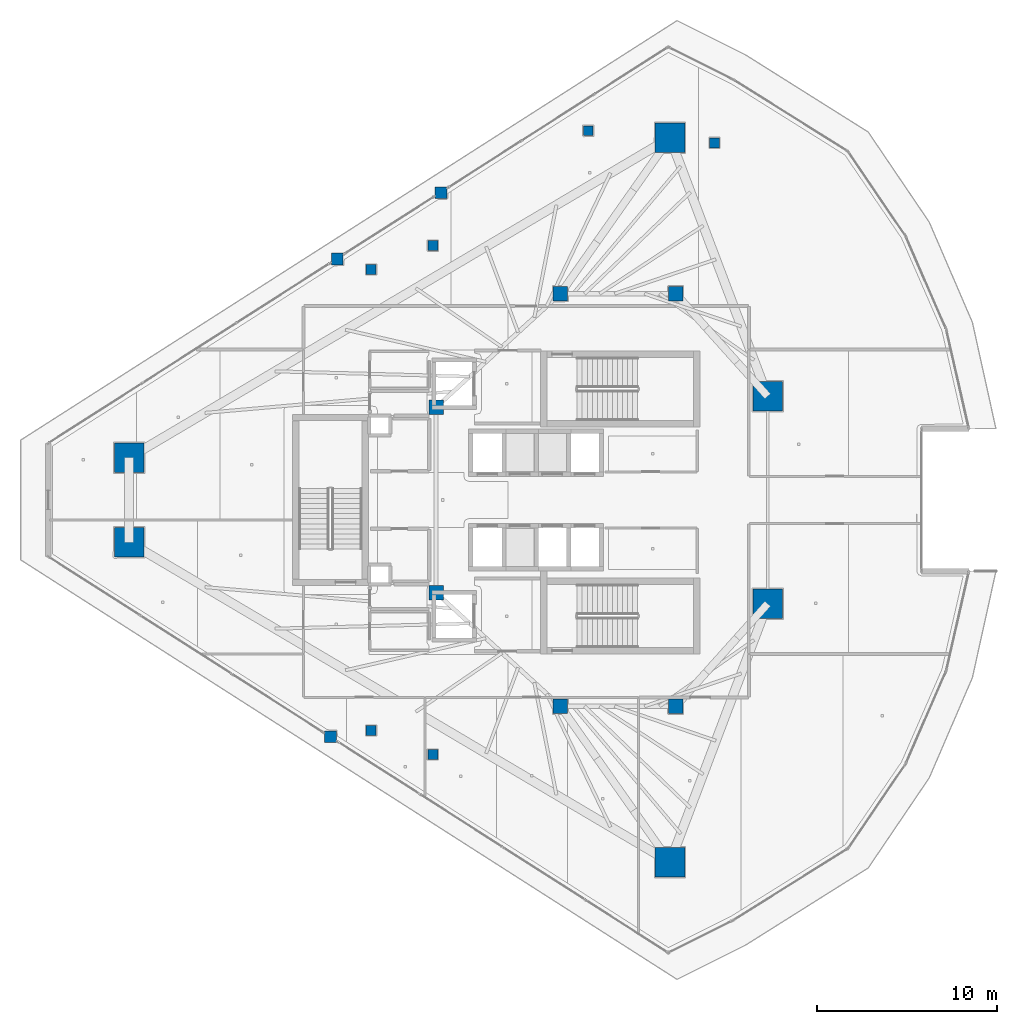
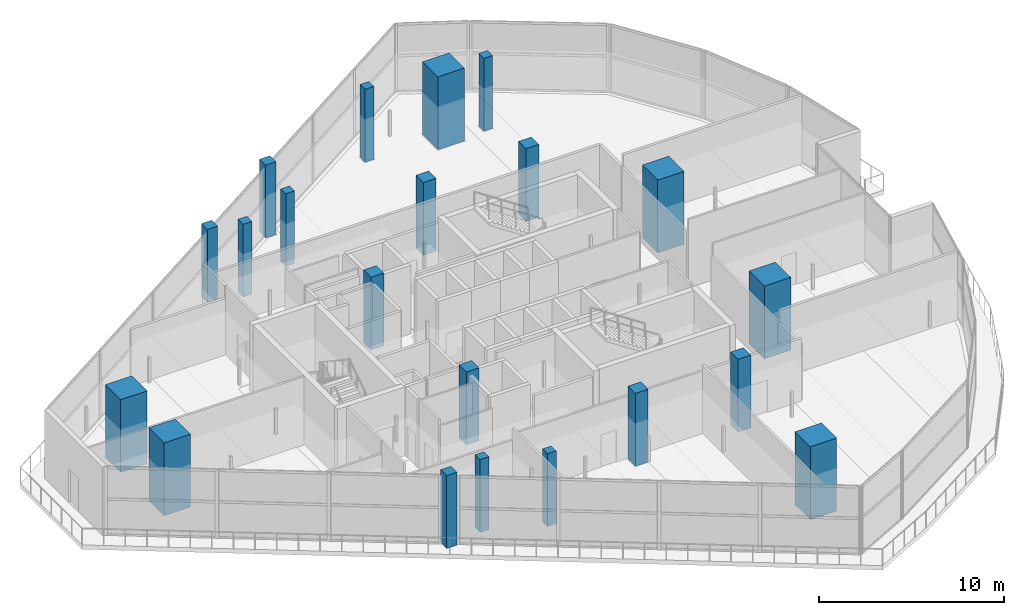
# One storey, part 1 of 36: 21 columns.
"""IFC4 building model written with IfcOpenShell, lengths in metres."""

from ifc_helpers import new_model, si_unit, direction, frame, origin, origin_2d, place, context, subcontext, project, spatial, rectangle, extrude, material, material_profile, profile_set, type_object, element, save


model = new_model("IFC4")

# Units and contexts
model_context = context("Model", 3, precision=1e-05, world=origin(), true_north=direction((0.0, 1.0)))
body_context = subcontext(model_context, "Body", "Model", "MODEL_VIEW")
ifc_project = project(units=[si_unit("LENGTHUNIT", "METRE"), si_unit("AREAUNIT", "SQUARE_METRE"), si_unit("VOLUMEUNIT", "CUBIC_METRE"), si_unit("PLANEANGLEUNIT", "RADIAN"), si_unit("MASSUNIT", "GRAM", prefix="KILO")], contexts=[model_context])

# Site, building, storey
site_placement = place(None, origin())
site = spatial("IfcSite", under=ifc_project, at=site_placement, CompositionType="ELEMENT")
building_placement = place(site_placement, origin())
building = spatial("IfcBuilding", under=site, at=building_placement, Name="Qorvath Tower", CompositionType="ELEMENT")
storey_placement = place(building_placement, frame((0.0, 0.0, 255.0)))
storey = spatial("IfcBuildingStorey", under=building, at=storey_placement, Name="L59", CompositionType="ELEMENT", Elevation=255.0)

# Columns
ifc_material_1 = material(Name="Concrete C60/75", Category="concrete")
ifc_material_profile_1 = material_profile(ifc_material_1, rectangle(XDim=1.64990234375, YDim=1.64990234375, at=origin_2d()), Name="MC 1650x1650")
ifc_profile_set_1 = profile_set([ifc_material_profile_1], Name="Concrete C60/75")
column_type_1 = type_object("IfcColumnType", Name="COL-MC5", PredefinedType="COLUMN", material=ifc_profile_set_1)
for number, where, z_axis, x_axis, name in (
    (1, (-47.53759765625, 2.349609375, 0.0), (0.0, 0.0, 1.0), (1.0, 0.0, 0.0), "Composite Mega-Column MC1 L59"),
    (2, (-47.53759765625, -2.349609375, 0.0), (0.0, 0.0, 1.0), (1.0, 0.0, 0.0), "Composite Mega-Column MC2 L59"),
    (3, (-17.515380859375, -20.1015625, 0.0), (0.0, 0.0, 1.0), (1.0, 0.0, 0.0), "Composite Mega-Column MC3 L59"),
    (4, (-12.0966796875, -5.7578125, 0.0), (0.0, 0.0, 1.0), (1.0, 0.0, 0.0), "Composite Mega-Column MC4 L59"),
    (5, (-12.0966796875, 5.7578125, 0.0), (0.0, 0.0, 1.0), (1.0, 0.0, 0.0), "Composite Mega-Column MC5 L59"),
    (6, (-17.515380859375, 20.1015625, 0.0), (0.0, 0.0, 1.0), (1.0, 0.0, 0.0), "Composite Mega-Column MC6 L59"),
):
    element("IfcColumn", number, at=place(storey_placement, frame(where, z_axis=z_axis, x_axis=x_axis)), inside=storey, type_object=column_type_1, Name=name, PredefinedType="COLUMN", context=body_context, shape_type="SweptSolid", body=[
        extrude(rectangle(XDim=1.64990234375, YDim=1.64990234375, at=origin_2d()), origin(), (0.0, 0.0, 1.0), 4.800048828125),
    ])
ifc_material_2 = material(Name="Concrete C50/60", Category="concrete")
ifc_material_profile_2 = material_profile(ifc_material_2, rectangle(XDim=0.800048828125, YDim=0.800048828125, at=origin_2d()), Name="RC 800x800")
ifc_profile_set_2 = profile_set([ifc_material_profile_2], Name="Concrete C50/60")
column_type_2 = type_object("IfcColumnType", Name="COL-RC4", PredefinedType="COLUMN", material=ifc_profile_set_2)
for number, where, z_axis, x_axis, name in (
    (7, (-23.60009765625, 11.449951171875, 0.0), (0.0, 0.0, 1.0), (1.0, 0.0, 0.0), "Core Spine Column CC1 L59"),
    (8, (-17.199951171875, 11.449951171875, 0.0), (0.0, 0.0, 1.0), (1.0, 0.0, 0.0), "Core Spine Column CC2 L59"),
    (9, (-17.199951171875, -11.449951171875, 0.0), (0.0, 0.0, 1.0), (1.0, 0.0, 0.0), "Core Spine Column CC3 L59"),
    (10, (-23.60009765625, -11.449951171875, 0.0), (0.0, 0.0, 1.0), (1.0, 0.0, 0.0), "Core Spine Column CC4 L59"),
    (11, (-30.5, 5.14990234375, 0.0), (0.0, 0.0, 1.0), (1.0, 0.0, 0.0), "Core Spine Column CC5 L59"),
    (12, (-30.5, -5.14990234375, 0.0), (0.0, 0.0, 1.0), (1.0, 0.0, 0.0), "Core Spine Column CC6 L59"),
):
    element("IfcColumn", number, at=place(storey_placement, frame(where, z_axis=z_axis, x_axis=x_axis)), inside=storey, type_object=column_type_2, Name=name, PredefinedType="COLUMN", context=body_context, shape_type="SweptSolid", body=[
        extrude(rectangle(XDim=0.800048828125, YDim=0.800048828125, at=origin_2d()), origin(), (0.0, 0.0, 1.0), 4.800048828125),
    ])
ifc_material_3 = material(Name="Concrete C45/55", Category="concrete")
ifc_material_profile_3 = material_profile(ifc_material_3, rectangle(XDim=0.64990234375, YDim=0.64990234375, at=origin_2d()), Name="RC 650x650")
ifc_profile_set_3 = profile_set([ifc_material_profile_3], Name="Concrete C45/55")
column_type_3 = type_object("IfcColumnType", Name="COL-RC6", PredefinedType="COLUMN", material=ifc_profile_set_3)
for number, where, z_axis, x_axis, name in (
    (13, (-35.980712890625, 13.380859375, 0.0), (0.0, 0.0, 1.0), (1.0, 0.0, 0.0), "Loggia Frame Pier Column LGF1 L59"),
    (14, (-36.36474609375, -13.135498046875, 0.0), (0.0, 0.0, 1.0), (1.0, 0.0, 0.0), "Loggia Frame Pier Column LGF2 L59"),
    (15, (-30.224853515625, 17.0595703125, 0.0), (0.0, 0.0, 1.0), (1.0, 0.0, 0.0), "Loggia Frame Pier Column LGF3 L59"),
):
    element("IfcColumn", number, at=place(storey_placement, frame(where, z_axis=z_axis, x_axis=x_axis)), inside=storey, type_object=column_type_3, Name=name, PredefinedType="COLUMN", context=body_context, shape_type="SweptSolid", body=[
        extrude(rectangle(XDim=0.64990234375, YDim=0.64990234375, at=origin_2d()), origin(), (0.0, 0.0, 1.0), 4.800048828125),
    ])
ifc_material_4 = material(Name="Concrete C45/55", Category="concrete")
ifc_material_profile_4 = material_profile(ifc_material_4, rectangle(XDim=0.550048828125, YDim=0.550048828125, at=origin_2d()), Name="RC 550x550")
ifc_profile_set_4 = profile_set([ifc_material_profile_4], Name="Concrete C45/55")
column_type_4 = type_object("IfcColumnType", Name="COL-RC7", PredefinedType="COLUMN", material=ifc_profile_set_4)
for number, where, z_axis, x_axis, name in (
    (16, (-34.104248046875, 12.79248046875, 0.0), (0.0, 0.0, 1.0), (1.0, 0.0, 0.0), "Loggia Frame Pier Column LGG1 L59"),
    (17, (-34.104248046875, -12.79248046875, 0.0), (0.0, 0.0, 1.0), (1.0, 0.0, 0.0), "Loggia Frame Pier Column LGG2 L59"),
    (18, (-22.05322265625, 20.494873046875, 0.0), (0.0, 0.0, 1.0), (1.0, 0.0, 0.0), "Loggia Frame Pier Column LGG3 L59"),
    (19, (-30.67724609375, 14.124267578125, 0.0), (0.0, 0.0, 1.0), (1.0, 0.0, 0.0), "Loggia Frame Pier Column LGH1 L59"),
    (20, (-30.67724609375, -14.124267578125, 0.0), (0.0, 0.0, 1.0), (1.0, 0.0, 0.0), "Loggia Frame Pier Column LGH2 L59"),
    (21, (-15.046142578125, 19.818115234375, 0.0), (0.0, 0.0, 1.0), (1.0, 0.0, 0.0), "Loggia Frame Pier Column LGH3 L59"),
):
    element("IfcColumn", number, at=place(storey_placement, frame(where, z_axis=z_axis, x_axis=x_axis)), inside=storey, type_object=column_type_4, Name=name, PredefinedType="COLUMN", context=body_context, shape_type="SweptSolid", body=[
        extrude(rectangle(XDim=0.550048828125, YDim=0.550048828125, at=origin_2d()), origin(), (0.0, 0.0, 1.0), 4.800048828125),
    ])

save(model, "model.ifc")
